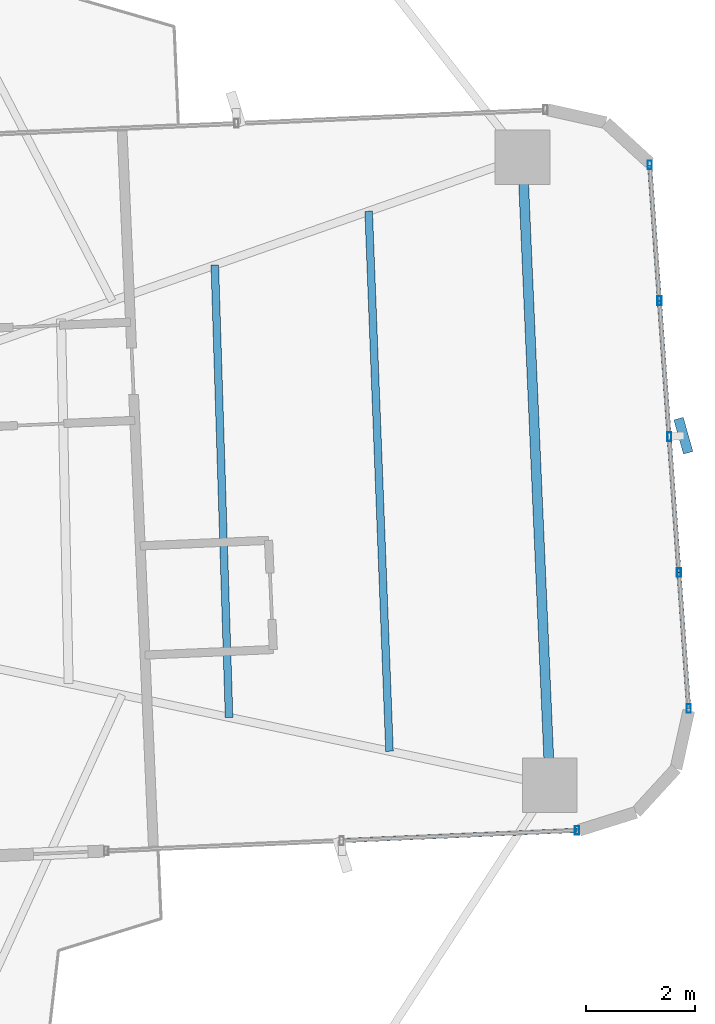
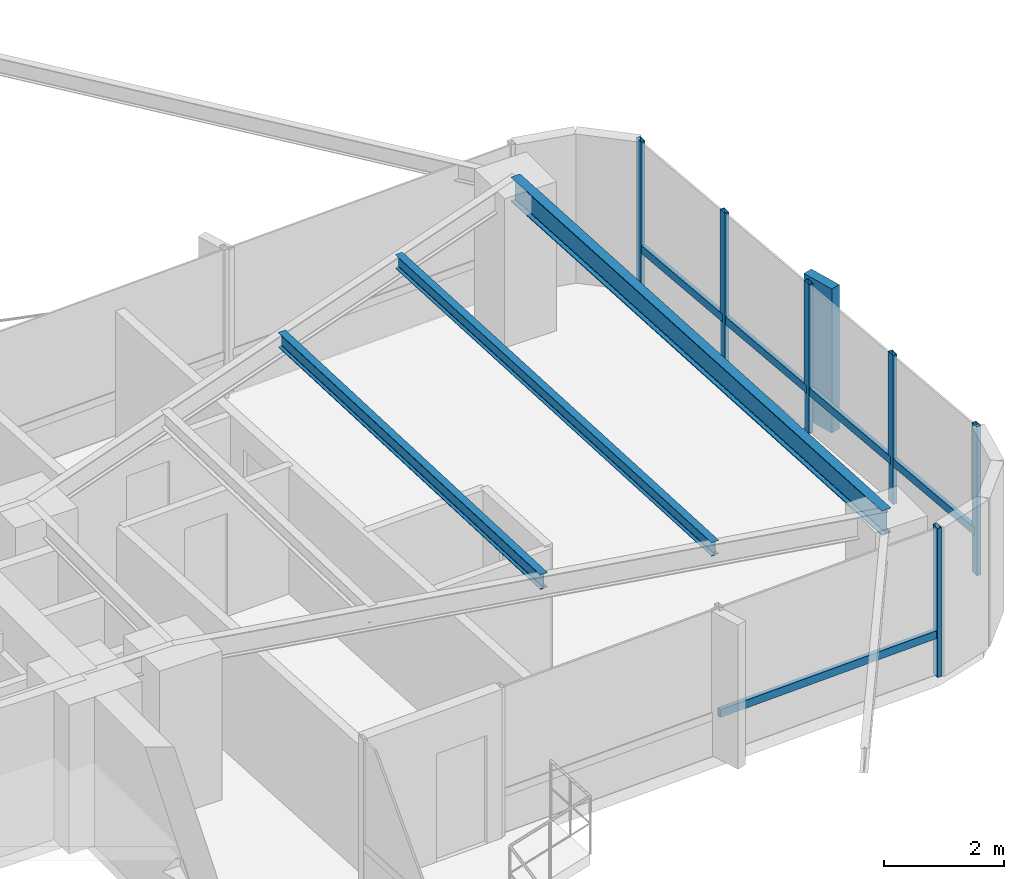
# One storey, part 15 of 26: 12 members, 3 beams, 2 elements without a shape of their own.
"""IFC4 building model written with IfcOpenShell, lengths in metres."""

from ifc_helpers import new_model, si_unit, direction, frame, origin, origin_2d, place, context, subcontext, project, spatial, rectangle, hollow_rectangle, i_section, extrude, source, transform, mapped, material, material_profile, profile_set, type_object, element, aggregate, save


model = new_model("IFC4")

# Units and contexts
model_context = context("Model", 3, precision=1e-05, world=origin(), true_north=direction((0.0, 1.0)))
body_context = subcontext(model_context, "Body", "Model", "MODEL_VIEW")
ifc_project = project(units=[si_unit("LENGTHUNIT", "METRE"), si_unit("AREAUNIT", "SQUARE_METRE"), si_unit("VOLUMEUNIT", "CUBIC_METRE"), si_unit("PLANEANGLEUNIT", "RADIAN"), si_unit("MASSUNIT", "GRAM", prefix="KILO")], contexts=[model_context])

# Site, building, storey
site_placement = place(None, origin())
site = spatial("IfcSite", under=ifc_project, at=site_placement, CompositionType="ELEMENT")
building_placement = place(site_placement, origin())
building = spatial("IfcBuilding", under=site, at=building_placement, Name="Sahyath Konkavel Grand Hotel", CompositionType="ELEMENT")
storey_placement = place(building_placement, frame((0.0, 0.0, 134.89990234375)))
storey = spatial("IfcBuildingStorey", under=building, at=storey_placement, Name="L37", CompositionType="ELEMENT", Elevation=134.89990234375)

# Beams
ifc_material_1 = material(Name="Steel E350", Category="steel")
ifc_material_profile_1 = material_profile(ifc_material_1, i_section(OverallWidth=0.179931640625, OverallDepth=0.5, WebThickness=0.01025390625, FlangeThickness=0.01708984375, FilletRadius=0.01708984375, at=origin_2d()), Name="ISMB 500")
ifc_profile_set_1 = profile_set([ifc_material_profile_1], Name="Steel E350")
beam_type_1 = type_object("IfcBeamType", Name="BM-ISMB500", PredefinedType="BEAM", material=ifc_profile_set_1)
shared_shape_1 = source(origin(), body_context, "Body", "SweptSolid", [
    extrude(i_section(OverallWidth=0.179931640625, OverallDepth=0.5, WebThickness=0.01025390625, FlangeThickness=0.01708984375, FilletRadius=0.01708984375, at=origin_2d()), origin(), (0.0, 0.0, 1.0), 11.5),
])
beam_1_placement = place(storey_placement, frame((17.734130859375, -4.981201171875, 2.780029296875), z_axis=(-0.043627008892, 0.99904788879, 0.0), x_axis=(-0.99904788879, -0.043627008892, 0.0)))
element("IfcBeam", 1, at=beam_1_placement, inside=storey, type_object=beam_type_1, Name="L37 Wing Tip Edge Beam E", PredefinedType="BEAM", context=body_context, shape_type="MappedRepresentation", body=[
    mapped(shared_shape_1, transform((0.0, 0.0, 0.0), scale=1.0)),
])
ifc_material_profile_2 = material_profile(ifc_material_1, i_section(OverallWidth=0.139892578125, OverallDepth=0.300048828125, WebThickness=0.0078125, FlangeThickness=0.01318359375, FilletRadius=0.013916015625, at=origin_2d()), Name="ISMB 300")
ifc_profile_set_2 = profile_set([ifc_material_profile_2], Name="Steel E350")
beam_type_2 = type_object("IfcBeamType", Name="BM-ISMB300", PredefinedType="BEAM", material=ifc_profile_set_2)
shared_shape_2 = source(origin(), body_context, "Body", "SweptSolid", [
    extrude(i_section(OverallWidth=0.139892578125, OverallDepth=0.300048828125, WebThickness=0.0078125, FlangeThickness=0.01318359375, FilletRadius=0.013916015625, at=origin_2d()), origin(), (0.0, 0.0, 1.0), 8.282470703125),
])
beam_2_placement = place(storey_placement, frame((11.86181640625, -3.7421875, 2.880126953125), z_axis=(-0.031510827707, 0.999503410568, 0.0), x_axis=(-0.999503410568, -0.031510827707, 0.0)))
element("IfcBeam", 2, at=beam_2_placement, inside=storey, type_object=beam_type_2, Name="L37 Secondary Floor Beam E-2", PredefinedType="BEAM", context=body_context, shape_type="MappedRepresentation", body=[
    mapped(shared_shape_2, transform((0.0, 0.0, 0.0), scale=1.0)),
])
ifc_material_profile_3 = material_profile(ifc_material_1, i_section(OverallWidth=0.139892578125, OverallDepth=0.27490234375, WebThickness=0.00634765625, FlangeThickness=0.0087890625, FilletRadius=0.012939453125, at=origin_2d()), Name="ISLB 275")
ifc_profile_set_3 = profile_set([ifc_material_profile_3], Name="Steel E350")
beam_type_3 = type_object("IfcBeamType", Name="BM-ISLB275", PredefinedType="BEAM", material=ifc_profile_set_3)
shared_shape_3 = source(origin(), body_context, "Body", "SweptSolid", [
    extrude(i_section(OverallWidth=0.139892578125, OverallDepth=0.27490234375, WebThickness=0.00634765625, FlangeThickness=0.0087890625, FilletRadius=0.012939453125, at=origin_2d()), origin(), (0.0, 0.0, 1.0), 9.89111328125),
])
beam_3_placement = place(storey_placement, frame((14.798095703125, -4.36181640625, 2.892578125), z_axis=(-0.03855445741, 0.999256500511, 0.0), x_axis=(-0.999256500511, -0.03855445741, 0.0)))
element("IfcBeam", 3, at=beam_3_placement, inside=storey, type_object=beam_type_3, Name="L37 Secondary Floor Beam E-3", PredefinedType="BEAM", context=body_context, shape_type="MappedRepresentation", body=[
    mapped(shared_shape_3, transform((0.0, 0.0, 0.0), scale=1.0)),
])

# Curtain wall, member
ifc_material_2 = material(Name="Anodised Bronze Aluminium & Low-E Glazing", Category="aluminium")
curtain_wall_type = type_object("IfcCurtainWallType", Name="CW-ZONE2", PredefinedType="NOTDEFINED", material=ifc_material_2)
curtain_wall_1_placement = place(storey_placement, origin())
curtain_wall_1 = element("IfcCurtainWall", 4, at=curtain_wall_1_placement, inside=storey, type_object=curtain_wall_type, Name="L37 Unitised Curtain Wall F0", PredefinedType="NOTDEFINED")
ifc_material_3 = material(Name="Anodised Bronze Aluminium", Category="aluminium")
ifc_material_profile_4 = material_profile(ifc_material_3, hollow_rectangle(XDim=0.080078125, YDim=0.159912109375, WallThickness=0.006103515625, at=origin_2d()), Name="RHS 160x80x6")
ifc_profile_set_4 = profile_set([ifc_material_profile_4], Name="Anodised Bronze Aluminium")
member_type_1 = type_object("IfcMemberType", Name="CW-MUL-160", PredefinedType="MULLION", material=ifc_profile_set_4)
shared_shape_4 = source(origin(), body_context, "Body", "SweptSolid", [
    extrude(hollow_rectangle(XDim=0.080078125, YDim=0.159912109375, WallThickness=0.006103515625, at=origin_2d()), origin(), (0.0, 0.0, 1.0), 3.030029296875),
])
member_1_placement = place(storey_placement, frame((18.230712890625, -5.810302734375, 0.0), z_axis=(0.0, 0.0, 1.0), x_axis=(1.0, 0.0, 0.0)))
member_1 = element("IfcMember", 5, at=member_1_placement, type_object=member_type_1, Name="L37 Curtain Wall Mullion F0-2", PredefinedType="MULLION", context=body_context, shape_type="MappedRepresentation", body=[
    mapped(shared_shape_4, transform((0.0, 0.0, 0.0), scale=1.0)),
])

# Curtain wall, members
curtain_wall_2_placement = place(storey_placement, origin())
curtain_wall_2 = element("IfcCurtainWall", 6, at=curtain_wall_2_placement, inside=storey, type_object=curtain_wall_type, Name="L37 Unitised Curtain Wall F4", PredefinedType="NOTDEFINED")
member_2_placement = place(storey_placement, frame((20.2744140625, -3.5791015625, 0.0), z_axis=(0.0, 0.0, 1.0), x_axis=(1.0, 0.0, 0.0)))
member_2 = element("IfcMember", 7, at=member_2_placement, type_object=member_type_1, Name="L37 Curtain Wall Mullion F4-0", PredefinedType="MULLION", context=body_context, shape_type="MappedRepresentation", body=[
    mapped(shared_shape_4, transform((0.0, 0.0, 0.0), scale=1.0)),
])
member_3_placement = place(storey_placement, frame((20.095947265625, -1.092041015625, 0.0), z_axis=(0.0, 0.0, 1.0), x_axis=(1.0, 0.0, 0.0)))
member_3 = element("IfcMember", 8, at=member_3_placement, type_object=member_type_1, Name="L37 Curtain Wall Mullion F4-1", PredefinedType="MULLION", context=body_context, shape_type="MappedRepresentation", body=[
    mapped(shared_shape_4, transform((0.0, 0.0, 0.0), scale=1.0)),
])
member_4_placement = place(storey_placement, frame((19.91748046875, 1.39501953125, 0.0), z_axis=(0.0, 0.0, 1.0), x_axis=(1.0, 0.0, 0.0)))
member_4 = element("IfcMember", 9, at=member_4_placement, type_object=member_type_1, Name="L37 Curtain Wall Mullion F4-2", PredefinedType="MULLION", context=body_context, shape_type="MappedRepresentation", body=[
    mapped(shared_shape_4, transform((0.0, 0.0, 0.0), scale=1.0)),
])
member_5_placement = place(storey_placement, frame((19.739013671875, 3.882080078125, 0.0), z_axis=(0.0, 0.0, 1.0), x_axis=(1.0, 0.0, 0.0)))
member_5 = element("IfcMember", 10, at=member_5_placement, type_object=member_type_1, Name="L37 Curtain Wall Mullion F4-3", PredefinedType="MULLION", context=body_context, shape_type="MappedRepresentation", body=[
    mapped(shared_shape_4, transform((0.0, 0.0, 0.0), scale=1.0)),
])
member_6_placement = place(storey_placement, frame((19.560546875, 6.369384765625, 0.0), z_axis=(0.0, 0.0, 1.0), x_axis=(1.0, 0.0, 0.0)))
member_6 = element("IfcMember", 11, at=member_6_placement, type_object=member_type_1, Name="L37 Curtain Wall Mullion F4-4", PredefinedType="MULLION", context=body_context, shape_type="MappedRepresentation", body=[
    mapped(shared_shape_4, transform((0.0, 0.0, 0.0), scale=1.0)),
])
ifc_material_4 = material(Name="Warm Buff Sandstone Cladding on Concrete C50/60", Category="masonry")
ifc_material_profile_5 = material_profile(ifc_material_4, rectangle(XDim=0.179931640625, YDim=0.64990234375, at=origin_2d()), Name="FIN 180x650")
ifc_profile_set_5 = profile_set([ifc_material_profile_5], Name="Warm Buff Sandstone Cladding on Concrete C50/60")
member_type_2 = type_object("IfcMemberType", Name="FIN-SANDSTONE-650", PredefinedType="MULLION", material=ifc_profile_set_5)
shared_shape_5 = source(origin(), body_context, "Body", "SweptSolid", [
    extrude(rectangle(XDim=0.179931640625, YDim=0.64990234375, at=origin_2d()), origin(), (0.0, 0.0, 1.0), 2.929931640625),
])
member_7_placement = place(storey_placement, frame((20.1767578125, 1.413818359375, 0.050048828125), z_axis=(0.0, 0.0, 1.0), x_axis=(0.962360427228, 0.271776393577, 0.0)))
member_7 = element("IfcMember", 12, at=member_7_placement, type_object=member_type_2, Name="L37 Sandstone Vertical Solar Fin FIN F4-2", PredefinedType="MULLION", context=body_context, shape_type="MappedRepresentation", body=[
    mapped(shared_shape_5, transform((0.0, 0.0, 0.0), scale=1.0)),
])

# Member
ifc_material_profile_6 = material_profile(ifc_material_3, hollow_rectangle(XDim=0.080078125, YDim=0.159912109375, WallThickness=0.006103515625, at=origin_2d()), Name="RHS 160x80x6")
ifc_profile_set_6 = profile_set([ifc_material_profile_6], Name="Anodised Bronze Aluminium")
member_type_3 = type_object("IfcMemberType", Name="CW-TRN-160", PredefinedType="USERDEFINED", material=ifc_profile_set_6)
shared_shape_6 = source(origin(), body_context, "Body", "SweptSolid", [
    extrude(hollow_rectangle(XDim=0.080078125, YDim=0.159912109375, WallThickness=0.006103515625, at=origin_2d()), origin(), (0.0, 0.0, 1.0), 4.31005859375),
])
member_8_placement = place(storey_placement, frame((13.9248046875, -5.998291015625, 0.85009765625), z_axis=(0.999048340188, 0.043616670746, 0.0), x_axis=(-0.043616670746, 0.999048340188, 0.0)))
member_8 = element("IfcMember", 13, at=member_8_placement, type_object=member_type_3, Name="L37 Curtain Wall Transom F0-1-spandrel", ObjectType="TRANSOM", PredefinedType="USERDEFINED", context=body_context, shape_type="MappedRepresentation", body=[
    mapped(shared_shape_6, transform((0.0, 0.0, 0.0), scale=1.0)),
])

aggregate(curtain_wall_1, [member_1, member_8])

shared_shape_7 = source(origin(), body_context, "Body", "SweptSolid", [
    extrude(hollow_rectangle(XDim=0.080078125, YDim=0.159912109375, WallThickness=0.006103515625, at=origin_2d()), origin(), (0.0, 0.0, 1.0), 2.493408203125),
])
member_9_placement = place(storey_placement, frame((20.2744140625, -3.5791015625, 0.85009765625), z_axis=(-0.071574084062, 0.997435286367, 0.0), x_axis=(-0.997435286367, -0.071574084062, 0.0)))
member_9 = element("IfcMember", 14, at=member_9_placement, type_object=member_type_3, Name="L37 Curtain Wall Transom F4-0-spandrel", ObjectType="TRANSOM", PredefinedType="USERDEFINED", context=body_context, shape_type="MappedRepresentation", body=[
    mapped(shared_shape_7, transform((0.0, 0.0, 0.0), scale=1.0)),
])

member_10_placement = place(storey_placement, frame((20.095947265625, -1.092041015625, 0.85009765625), z_axis=(-0.071574084062, 0.997435286367, 0.0), x_axis=(-0.997435286367, -0.071574084062, 0.0)))
member_10 = element("IfcMember", 15, at=member_10_placement, type_object=member_type_3, Name="L37 Curtain Wall Transom F4-1-spandrel", ObjectType="TRANSOM", PredefinedType="USERDEFINED", context=body_context, shape_type="MappedRepresentation", body=[
    mapped(shared_shape_7, transform((0.0, 0.0, 0.0), scale=1.0)),
])

member_11_placement = place(storey_placement, frame((19.91748046875, 1.39501953125, 0.85009765625), z_axis=(-0.071574084062, 0.997435286367, 0.0), x_axis=(-0.997435286367, -0.071574084062, 0.0)))
member_11 = element("IfcMember", 16, at=member_11_placement, type_object=member_type_3, Name="L37 Curtain Wall Transom F4-2-spandrel", ObjectType="TRANSOM", PredefinedType="USERDEFINED", context=body_context, shape_type="MappedRepresentation", body=[
    mapped(shared_shape_7, transform((0.0, 0.0, 0.0), scale=1.0)),
])

shared_shape_8 = source(origin(), body_context, "Body", "SweptSolid", [
    extrude(hollow_rectangle(XDim=0.080078125, YDim=0.159912109375, WallThickness=0.006103515625, at=origin_2d()), origin(), (0.0, 0.0, 1.0), 2.49365234375),
])
member_12_placement = place(storey_placement, frame((19.739013671875, 3.882080078125, 0.85009765625), z_axis=(-0.071567094714, 0.997435787885, 0.0), x_axis=(-0.997435787885, -0.071567094714, 0.0)))
member_12 = element("IfcMember", 17, at=member_12_placement, type_object=member_type_3, Name="L37 Curtain Wall Transom F4-3-spandrel", ObjectType="TRANSOM", PredefinedType="USERDEFINED", context=body_context, shape_type="MappedRepresentation", body=[
    mapped(shared_shape_8, transform((0.0, 0.0, 0.0), scale=1.0)),
])

aggregate(curtain_wall_2, [member_2, member_3, member_4, member_7, member_5, member_6, member_9, member_10, member_11, member_12])

save(model, "model.ifc")
